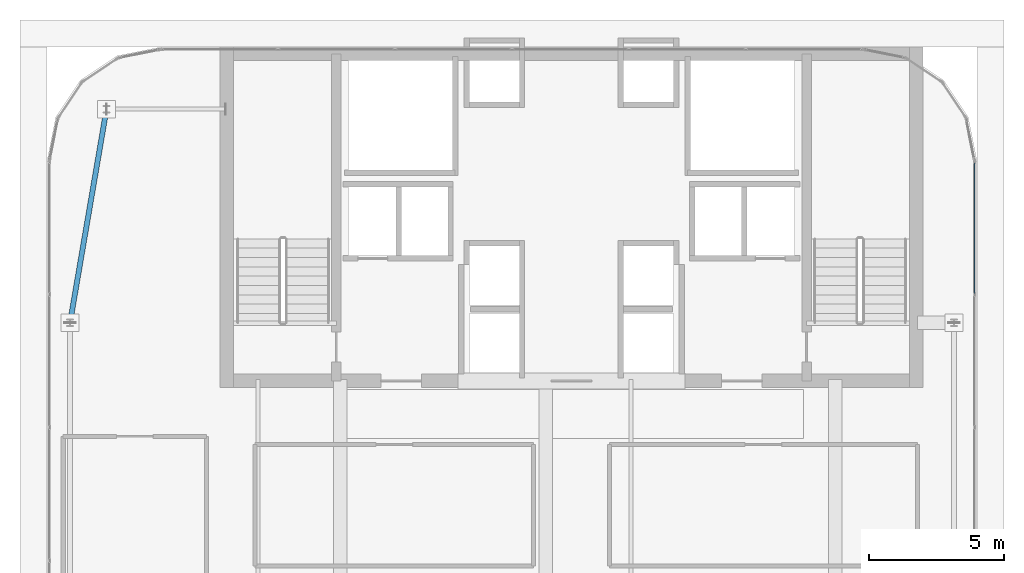
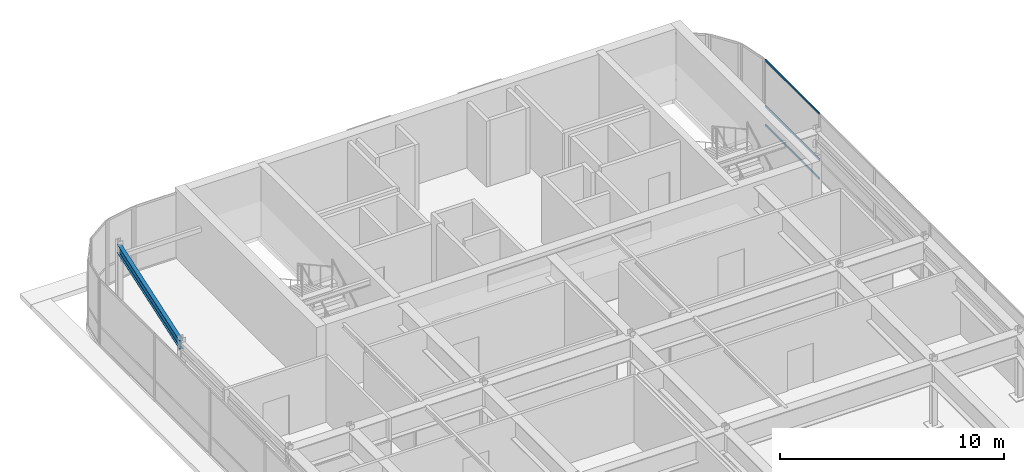
# One storey, part 23 of 35: 3 members, 1 beam, 1 element without a shape of its own.
"""IFC4 building model written with IfcOpenShell, lengths in metres."""

from ifc_helpers import new_model, si_unit, direction, frame, origin, origin_2d, place, context, subcontext, project, spatial, hollow_rectangle, i_section, extrude, source, transform, mapped, material, layer, layer_set, material_profile, profile_set, type_object, type_shapes, element, aggregate, save


model = new_model("IFC4")

# Units and contexts
model_context = context("Model", 3, precision=1e-05, world=origin(), true_north=direction((0.0, 1.0)))
body_context = subcontext(model_context, "Body", "Model", "MODEL_VIEW")
ifc_project = project(units=[si_unit("LENGTHUNIT", "METRE"), si_unit("AREAUNIT", "SQUARE_METRE"), si_unit("VOLUMEUNIT", "CUBIC_METRE"), si_unit("PLANEANGLEUNIT", "RADIAN"), si_unit("MASSUNIT", "GRAM", prefix="KILO")], contexts=[model_context])

# Site, building, storey
site_placement = place(None, origin())
site = spatial("IfcSite", under=ifc_project, at=site_placement, CompositionType="ELEMENT")
building_placement = place(site_placement, origin())
building = spatial("IfcBuilding", under=site, at=building_placement, Name="Tolvann Quenvar Hotel", CompositionType="ELEMENT")
storey_placement = place(building_placement, frame((0.0, 0.0, 290.949951171875)))
storey = spatial("IfcBuildingStorey", under=building, at=storey_placement, Name="L77", CompositionType="ELEMENT", Elevation=290.949951171875)

# Beam
ifc_material_1 = material(Name="Steel Grade 350", Category="steel")
ifc_material_profile_1 = material_profile(ifc_material_1, i_section(OverallWidth=0.19091796875, OverallDepth=0.4599609375, WebThickness=0.010009765625, FlangeThickness=0.01611328125, FilletRadius=0.011474609375, at=origin_2d()), Name="460UB82")
ifc_profile_set_1 = profile_set([ifc_material_profile_1], Name="Steel Grade 350")
beam_type = type_object("IfcBeamType", Name="BM_SPAND_460UB82", PredefinedType="SPANDREL", material=ifc_profile_set_1)
shared_shape_1 = source(origin(), body_context, "Body", "SweptSolid", [
    extrude(i_section(OverallWidth=0.19091796875, OverallDepth=0.4599609375, WebThickness=0.010009765625, FlangeThickness=0.01611328125, FilletRadius=0.011474609375, at=origin_2d()), origin(), (0.0, 0.0, 1.0), 8.014404296875),
])
type_shapes(beam_type, [shared_shape_1])
beam_placement = place(storey_placement, frame((4.449951171875, 34.0, 3.35009765625), z_axis=(0.168458176532, 0.985708802213, 0.0), x_axis=(-0.985708802213, 0.168458176532, 0.0)))
element("IfcBeam", 1, at=beam_placement, inside=storey, type_object=beam_type, Name="BM-L77-FLK-W2", PredefinedType="SPANDREL", context=body_context, shape_type="MappedRepresentation", body=[
    mapped(shared_shape_1, transform((0.0, 0.0, 0.0), x_axis=(1.0, 0.0, 0.0), y_axis=(0.0, 1.0, 0.0), z_axis=(0.0, 0.0, 1.0), scale=1.0)),
])

# Curtain wall, members
ifc_material_2 = material(Name="Thermally broken anodised architectural aluminium 6063-T6 and laminated low-E glass", Category="aluminium")
ifc_layer = layer(ifc_material_2, 0.179931640625)
ifc_layer_set = layer_set([ifc_layer], Name="Thermally broken anodised architectural aluminium 6063-T6 and laminated low-E glass")
curtain_wall_type = type_object("IfcCurtainWallType", Name="CW_SYS_LANT_06", PredefinedType="USERDEFINED", material=ifc_layer_set)
curtain_wall_placement = place(storey_placement, origin())
curtain_wall = element("IfcCurtainWall", 2, at=curtain_wall_placement, inside=storey, type_object=curtain_wall_type, Name="Curtain Wall CW-LANT-06 (CWR-L77-E09)", ObjectType="UNITISED CURTAIN WALL", PredefinedType="USERDEFINED")
ifc_material_3 = material(Name="Anodised architectural aluminium 6063-T6 framing", Category="aluminium")
ifc_material_profile_2 = material_profile(ifc_material_3, hollow_rectangle(XDim=0.050048828125, YDim=0.10009765625, WallThickness=0.0029296875, at=origin_2d()), Name="100x50x3RHS")
ifc_profile_set_2 = profile_set([ifc_material_profile_2], Name="Anodised architectural aluminium 6063-T6 framing")
member_type = type_object("IfcMemberType", Name="CW_TRAN_100x50", PredefinedType="USERDEFINED", material=ifc_profile_set_2)
shared_shape_2 = source(origin(), body_context, "Body", "SweptSolid", [
    extrude(hollow_rectangle(XDim=0.050048828125, YDim=0.10009765625, WallThickness=0.0029296875, at=origin_2d()), origin(), (0.0, 0.0, 1.0), 4.830078125),
])
type_shapes(member_type, [shared_shape_2])
member_1_placement = place(storey_placement, frame((37.909912109375, 35.087646484375, 0.025146484375), z_axis=(0.0, 1.0, 0.0), x_axis=(-1.0, 0.0, 0.0)))
member_1 = element("IfcMember", 3, at=member_1_placement, type_object=member_type, Name="CW-LANT-06 transom 6.1", ObjectType="TRANSOM", PredefinedType="USERDEFINED", context=body_context, shape_type="MappedRepresentation", body=[
    mapped(shared_shape_2, transform((0.0, 0.0, 0.0), x_axis=(1.0, 0.0, 0.0), y_axis=(0.0, 1.0, 0.0), z_axis=(0.0, 0.0, 1.0), scale=1.0)),
])
member_2_placement = place(storey_placement, frame((37.909912109375, 35.087646484375, 1.050048828125), z_axis=(0.0, 1.0, 0.0), x_axis=(-1.0, 0.0, 0.0)))
member_2 = element("IfcMember", 4, at=member_2_placement, type_object=member_type, Name="CW-LANT-06 transom 6.2", ObjectType="TRANSOM", PredefinedType="USERDEFINED", context=body_context, shape_type="MappedRepresentation", body=[
    mapped(shared_shape_2, transform((0.0, 0.0, 0.0), x_axis=(1.0, 0.0, 0.0), y_axis=(0.0, 1.0, 0.0), z_axis=(0.0, 0.0, 1.0), scale=1.0)),
])
member_3_placement = place(storey_placement, frame((37.909912109375, 35.087646484375, 3.554931640625), z_axis=(0.0, 1.0, 0.0), x_axis=(-1.0, 0.0, 0.0)))
member_3 = element("IfcMember", 5, at=member_3_placement, type_object=member_type, Name="CW-LANT-06 transom 6.3", ObjectType="TRANSOM", PredefinedType="USERDEFINED", context=body_context, shape_type="MappedRepresentation", body=[
    mapped(shared_shape_2, transform((0.0, 0.0, 0.0), x_axis=(1.0, 0.0, 0.0), y_axis=(0.0, 1.0, 0.0), z_axis=(0.0, 0.0, 1.0), scale=1.0)),
])
aggregate(curtain_wall, [member_1, member_2, member_3])

save(model, "model.ifc")
